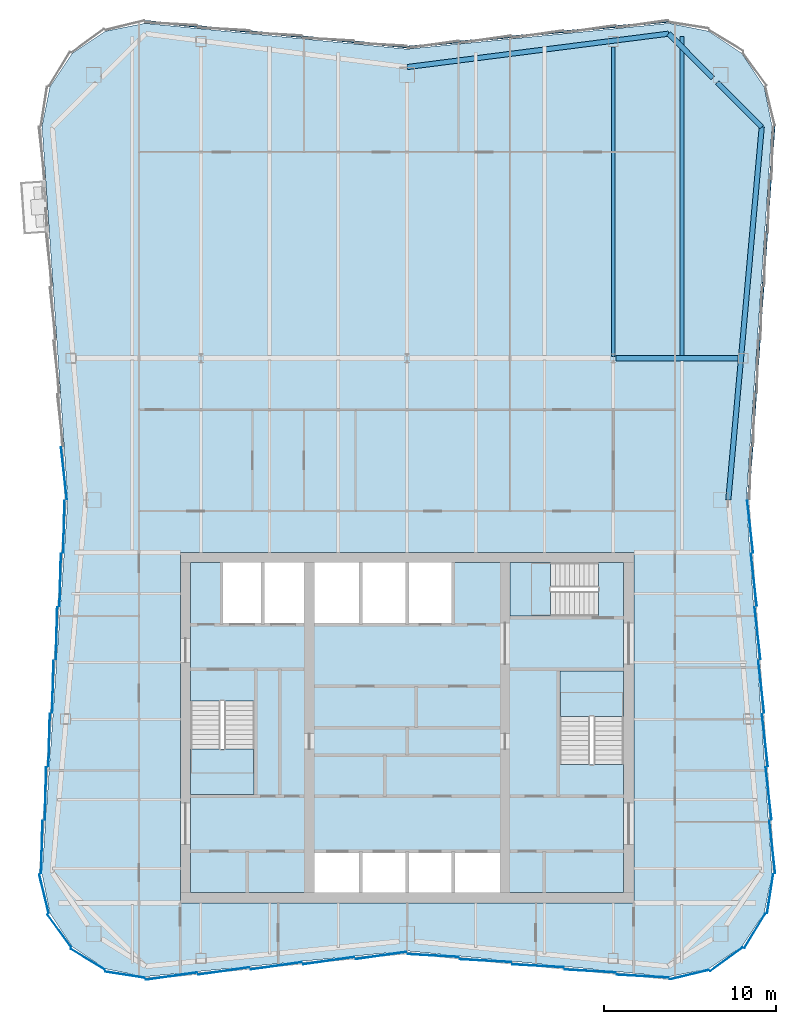
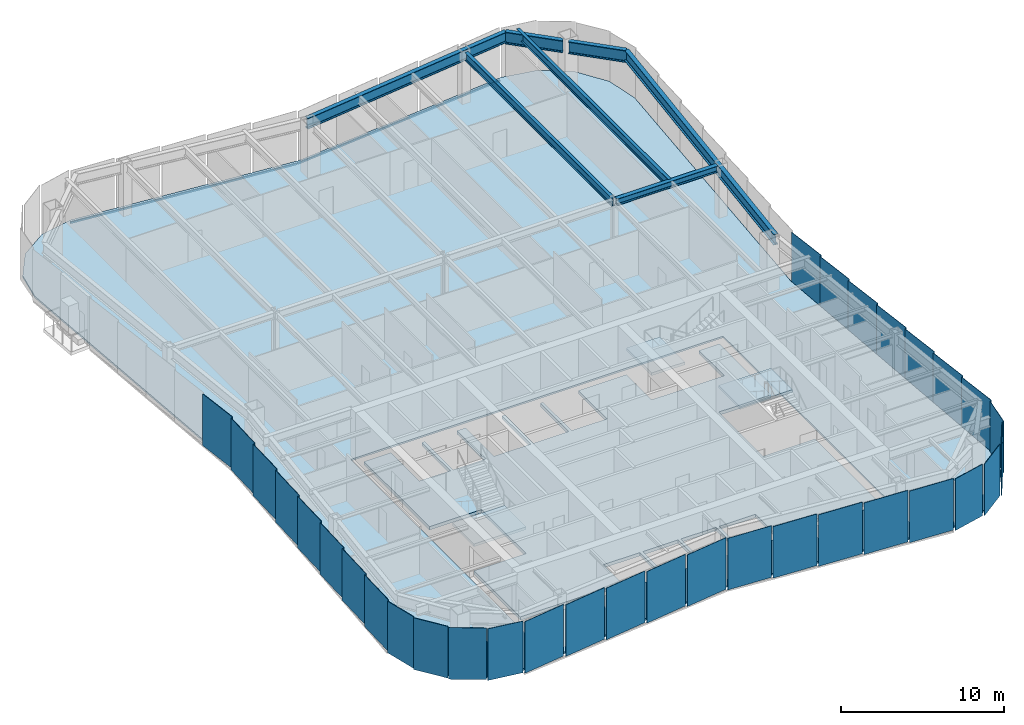
# One storey, part 4 of 11: 33 plates, 7 beams, 5 slabs, 3 members, 9 elements without a shape of their own.
"""IFC4 building model written with IfcOpenShell, lengths in metres."""

from ifc_helpers import new_model, si_unit, direction, frame, origin, origin_2d, place, context, subcontext, project, spatial, polyline, rectangle, i_section, outline, extrude, material, layer, layer_set, material_profile, profile_set, type_object, element, aggregate, save


model = new_model("IFC4")

# Units and contexts
model_context = context("Model", 3, precision=1e-05, world=origin(), true_north=direction((0.0, 1.0)))
body_context = subcontext(model_context, "Body", "Model", "MODEL_VIEW")
ifc_project = project(units=[si_unit("LENGTHUNIT", "METRE"), si_unit("AREAUNIT", "SQUARE_METRE"), si_unit("VOLUMEUNIT", "CUBIC_METRE"), si_unit("PLANEANGLEUNIT", "RADIAN"), si_unit("MASSUNIT", "GRAM", prefix="KILO")], contexts=[model_context])

# Site, building, storey
site_placement = place(None, origin())
site = spatial("IfcSite", under=ifc_project, at=site_placement, CompositionType="ELEMENT")
building_placement = place(site_placement, origin())
building = spatial("IfcBuilding", under=site, at=building_placement, Name="Verdant Reach Tower", CompositionType="ELEMENT")
storey_placement = place(building_placement, frame((0.0, 0.0, 314.0)))
storey = spatial("IfcBuildingStorey", under=building, at=storey_placement, Name="L72", CompositionType="ELEMENT", Elevation=314.0)

# Curtain wall, member
ifc_material_1 = material(Name="Anodised aluminium", Category="aluminium")
curtain_wall_type = type_object("IfcCurtainWallType", Name="EN-CW SYSTEM Z5", PredefinedType="NOTDEFINED", material=ifc_material_1)
curtain_wall_1_placement = place(storey_placement, origin())
curtain_wall_1 = element("IfcCurtainWall", 1, at=curtain_wall_1_placement, inside=storey, type_object=curtain_wall_type, Name="Curtain wall east, L72", PredefinedType="NOTDEFINED")
ifc_material_profile_1 = material_profile(ifc_material_1, rectangle(XDim=0.10009765625, YDim=0.1298828125, at=origin_2d()), Name="Transom 130x100")
ifc_profile_set_1 = profile_set([ifc_material_profile_1], Name="Anodised aluminium")
member_type = type_object("IfcMemberType", Name="EN-TRANSOM Z5", PredefinedType="USERDEFINED", material=ifc_profile_set_1)
member_1_placement = place(storey_placement, frame((19.867431640625, 41.284912109375, -0.284912109375), z_axis=(0.068764705107, 0.997632906099, 0.0), x_axis=(-0.997632906099, 0.068764705107, 0.0)))
member_1 = element("IfcMember", 2, at=member_1_placement, type_object=member_type, Name="Transom east face part 2 1.1, L72", ObjectType="TRANSOM", PredefinedType="USERDEFINED", context=body_context, shape_type="SweptSolid", body=[
    extrude(rectangle(XDim=0.10009765625, YDim=0.1298828125, at=origin_2d()), origin(), (0.0, 0.0, 1.0), 21.739013671875),
])

# Curtain wall, members
curtain_wall_2_placement = place(storey_placement, origin())
curtain_wall_2 = element("IfcCurtainWall", 3, at=curtain_wall_2_placement, inside=storey, type_object=curtain_wall_type, Name="Curtain wall north, L72", PredefinedType="NOTDEFINED")
member_2_placement = place(storey_placement, frame((15.220703125, 69.111328125, -0.284912109375), z_axis=(-0.99520229006, -0.097838652171, 0.0), x_axis=(0.097838652171, -0.99520229006, 0.0)))
member_2 = element("IfcMember", 4, at=member_2_placement, type_object=member_type, Name="Transom north face part 1 1.1, L72", ObjectType="TRANSOM", PredefinedType="USERDEFINED", context=body_context, shape_type="SweptSolid", body=[
    extrude(rectangle(XDim=0.10009765625, YDim=0.1298828125, at=origin_2d()), origin(), (0.0, 0.0, 1.0), 15.259033203125),
])
member_3_placement = place(storey_placement, frame((-0.034912109375, 67.618408203125, -0.284912109375), z_axis=(-0.99520229006, 0.097838652171, 0.0), x_axis=(-0.097838652171, -0.99520229006, 0.0)))
member_3 = element("IfcMember", 5, at=member_3_placement, type_object=member_type, Name="Transom north face part 2 1.1, L72", ObjectType="TRANSOM", PredefinedType="USERDEFINED", context=body_context, shape_type="SweptSolid", body=[
    extrude(rectangle(XDim=0.10009765625, YDim=0.1298828125, at=origin_2d()), origin(), (0.0, 0.0, 1.0), 15.259033203125),
])
aggregate(curtain_wall_2, [member_2, member_3])

# Beams
ifc_material_2 = material(Name="Steel S355", Category="steel")
ifc_material_profile_2 = material_profile(ifc_material_2, i_section(OverallWidth=0.300048828125, OverallDepth=0.489990234375, WebThickness=0.011962890625, FlangeThickness=0.02294921875, FilletRadius=0.027099609375, at=origin_2d()), Name="HEA 500")
ifc_profile_set_2 = profile_set([ifc_material_profile_2], Name="Steel S355")
beam_type_1 = type_object("IfcBeamType", Name="ST-BEAM-HEA500", PredefinedType="BEAM", material=ifc_profile_set_2)
beam_1_placement = place(storey_placement, frame((12.153076171875, 49.5, 3.625), z_axis=(1.0, 0.0, 0.0), x_axis=(0.0, 1.0, 0.0)))
element("IfcBeam", 6, at=beam_1_placement, inside=storey, type_object=beam_type_1, Name="Row girder, L72", PredefinedType="BEAM", context=body_context, shape_type="SweptSolid", body=[
    extrude(i_section(OverallWidth=0.300048828125, OverallDepth=0.489990234375, WebThickness=0.011962890625, FlangeThickness=0.02294921875, FilletRadius=0.027099609375, at=origin_2d()), origin(), (0.0, 0.0, 1.0), 7.115966796875),
])
ifc_material_profile_3 = material_profile(ifc_material_2, i_section(OverallWidth=0.219970703125, OverallDepth=0.60009765625, WebThickness=0.011962890625, FlangeThickness=0.01904296875, FilletRadius=0.02392578125, at=origin_2d()), Name="IPE 600")
ifc_profile_set_3 = profile_set([ifc_material_profile_3], Name="Steel S355")
beam_type_2 = type_object("IfcBeamType", Name="ST-JOIST-IPE600", PredefinedType="JOIST", material=ifc_profile_set_3)
beam_2_placement = place(storey_placement, frame((12.0, 49.60009765625, 3.570068359375), z_axis=(0.0, 1.0, 0.0), x_axis=(-1.0, 0.0, 0.0)))
element("IfcBeam", 7, at=beam_2_placement, inside=storey, type_object=beam_type_2, Name="Floor joist, L72", PredefinedType="JOIST", context=body_context, shape_type="SweptSolid", body=[
    extrude(i_section(OverallWidth=0.219970703125, OverallDepth=0.60009765625, WebThickness=0.011962890625, FlangeThickness=0.01904296875, FilletRadius=0.02392578125, at=origin_2d()), origin(), (0.0, 0.0, 1.0), 18.0302734375),
])
beam_3_placement = place(storey_placement, frame((16.0, 49.60009765625, 3.570068359375), z_axis=(0.0, 1.0, 0.0), x_axis=(-1.0, 0.0, 0.0)))
element("IfcBeam", 8, at=beam_3_placement, inside=storey, type_object=beam_type_2, Name="Floor joist, L72", PredefinedType="JOIST", context=body_context, shape_type="SweptSolid", body=[
    extrude(i_section(OverallWidth=0.219970703125, OverallDepth=0.60009765625, WebThickness=0.011962890625, FlangeThickness=0.01904296875, FilletRadius=0.02392578125, at=origin_2d()), origin(), (0.0, 0.0, 1.0), 18.638916015625),
])
ifc_material_profile_4 = material_profile(ifc_material_2, i_section(OverallWidth=0.300048828125, OverallDepth=0.800048828125, WebThickness=0.017578125, FlangeThickness=0.032958984375, FilletRadius=0.030029296875, at=origin_2d()), Name="HEB 800")
ifc_profile_set_4 = profile_set([ifc_material_profile_4], Name="Steel S355")
beam_type_3 = type_object("IfcBeamType", Name="ST-SPANDREL-HEB800", PredefinedType="SPANDREL", material=ifc_profile_set_4)
beam_4_placement = place(storey_placement, frame((0.0, 66.449951171875, 3.469970703125), z_axis=(0.991938889669, 0.126717162063, 0.0), x_axis=(-0.126717162063, 0.991938889669, 0.0)))
element("IfcBeam", 9, at=beam_4_placement, inside=storey, type_object=beam_type_3, Name="Edge beam, L72", PredefinedType="SPANDREL", context=body_context, shape_type="SweptSolid", body=[
    extrude(i_section(OverallWidth=0.300048828125, OverallDepth=0.800048828125, WebThickness=0.017578125, FlangeThickness=0.032958984375, FilletRadius=0.030029296875, at=origin_2d()), origin(), (0.0, 0.0, 1.0), 15.343994140625),
])
beam_5_placement = place(storey_placement, frame((20.64599609375, 62.96142578125, 3.469970703125), z_axis=(-0.089274399498, -0.996007069048, 0.0), x_axis=(0.996007069048, -0.089274399498, 0.0)))
element("IfcBeam", 10, at=beam_5_placement, inside=storey, type_object=beam_type_3, Name="Edge beam, L72", PredefinedType="SPANDREL", context=body_context, shape_type="SweptSolid", body=[
    extrude(i_section(OverallWidth=0.300048828125, OverallDepth=0.800048828125, WebThickness=0.017578125, FlangeThickness=0.032958984375, FilletRadius=0.030029296875, at=origin_2d()), origin(), (0.0, 0.0, 1.0), 21.798583984375),
])
ifc_material_profile_5 = material_profile(ifc_material_2, i_section(OverallWidth=0.302001953125, OverallDepth=0.909912109375, WebThickness=0.02099609375, FlangeThickness=0.0400390625, FilletRadius=0.030029296875, at=origin_2d()), Name="HEM 900")
ifc_profile_set_5 = profile_set([ifc_material_profile_5], Name="Steel S355")
beam_type_4 = type_object("IfcBeamType", Name="ST-SPANDREL-HEM900", PredefinedType="SPANDREL", material=ifc_profile_set_5)
beam_6_placement = place(storey_placement, frame((15.22021484375, 68.394287109375, 3.4150390625), z_axis=(0.706638520854, -0.707574731632, 0.0), x_axis=(0.707574731632, 0.706638520854, 0.0)))
element("IfcBeam", 11, at=beam_6_placement, inside=storey, type_object=beam_type_4, Name="Edge beam, L72", PredefinedType="SPANDREL", context=body_context, shape_type="SweptSolid", body=[
    extrude(i_section(OverallWidth=0.302001953125, OverallDepth=0.909912109375, WebThickness=0.02099609375, FlangeThickness=0.0400390625, FilletRadius=0.030029296875, at=origin_2d()), origin(), (0.0, 0.0, 1.0), 3.65087890625),
])
beam_7_placement = place(storey_placement, frame((18.060791015625, 65.550048828125, 3.4150390625), z_axis=(0.706639493403, -0.707573760369, 0.0), x_axis=(0.707573760369, 0.706639493403, 0.0)))
element("IfcBeam", 12, at=beam_7_placement, inside=storey, type_object=beam_type_4, Name="Edge beam, L72", PredefinedType="SPANDREL", context=body_context, shape_type="SweptSolid", body=[
    extrude(i_section(OverallWidth=0.302001953125, OverallDepth=0.909912109375, WebThickness=0.02099609375, FlangeThickness=0.0400390625, FilletRadius=0.030029296875, at=origin_2d()), origin(), (0.0, 0.0, 1.0), 3.658447265625),
])

# Stair, slab
ifc_material_3 = material(Name="Concrete C40/50", Category="concrete")
stair_type = type_object("IfcStairType", Name="CO-STAIR", PredefinedType="HALF_TURN_STAIR", material=ifc_material_3)
stair_1_placement = place(storey_placement, origin())
stair_1 = element("IfcStair", 13, at=stair_1_placement, inside=storey, type_object=stair_type, Name="L72 Exit stair 1", PredefinedType="HALF_TURN_STAIR")
ifc_layer_1 = layer(ifc_material_3, 0.199951171875)
ifc_layer_set_1 = layer_set([ifc_layer_1], Name="CO-STAIR-LANDING")
slab_type_1 = type_object("IfcSlabType", Name="CO-STAIR-LANDING", PredefinedType="LANDING", material=ifc_layer_set_1)
slab_1_placement = place(storey_placement, frame((0.0, 0.0, 1.800048828125)))
slab_1 = element("IfcSlab", 14, at=slab_1_placement, type_object=slab_type_1, Name="ST-1 landing 1", PredefinedType="LANDING", context=body_context, shape_type="SweptSolid", body=[
    extrude(outline(polyline([(-12.60009765625, 26.75), (-12.60009765625, 24.10009765625), (-8.89990234375, 24.10009765625), (-8.89990234375, 26.75), (-12.60009765625, 26.75)])), origin(), (0.0, 0.0, 1.0), 0.199951171875),
])
aggregate(stair_1, [slab_1])

stair_2_placement = place(storey_placement, origin())
stair_2 = element("IfcStair", 15, at=stair_2_placement, inside=storey, type_object=stair_type, Name="L72 Exit stair 2", PredefinedType="HALF_TURN_STAIR")
slab_2_placement = place(storey_placement, frame((0.0, 0.0, 1.800048828125)))
slab_2 = element("IfcSlab", 16, at=slab_2_placement, type_object=slab_type_1, Name="ST-2 landing 1", PredefinedType="LANDING", context=body_context, shape_type="SweptSolid", body=[
    extrude(outline(polyline([(12.60009765625, 28.64990234375), (12.60009765625, 31.300048828125), (8.89990234375, 31.300048828125), (8.89990234375, 28.64990234375), (12.60009765625, 28.64990234375)])), origin(), (0.0, 0.0, 1.0), 0.199951171875),
])
aggregate(stair_2, [slab_2])

stair_3_placement = place(storey_placement, origin())
stair_3 = element("IfcStair", 17, at=stair_3_placement, inside=storey, type_object=stair_type, Name="L72 Exit stair 3", PredefinedType="HALF_TURN_STAIR")
slab_3_placement = place(storey_placement, frame((0.0, 0.0, 1.800048828125)))
slab_3 = element("IfcSlab", 18, at=slab_3_placement, type_object=slab_type_1, Name="ST-3 landing 1", PredefinedType="LANDING", context=body_context, shape_type="SweptSolid", body=[
    extrude(outline(polyline([(8.35009765625, 37.60009765625), (6.0, 37.60009765625), (6.0, 34.5), (8.35009765625, 34.5), (8.35009765625, 37.60009765625)])), origin(), (0.0, 0.0, 1.0), 0.199951171875),
])
aggregate(stair_3, [slab_3])

# Curtain wall, plates
curtain_wall_3_placement = place(storey_placement, origin())
curtain_wall_3 = element("IfcCurtainWall", 19, at=curtain_wall_3_placement, inside=storey, type_object=curtain_wall_type, Name="Curtain wall south-east corner, L72", PredefinedType="NOTDEFINED")
ifc_material_4 = material(Name="Tinted glass with champagne spandrel", Category="glass")
ifc_layer_2 = layer(ifc_material_4, 0.031982421875)
ifc_layer_set_2 = layer_set([ifc_layer_2], Name="EN-PANEL CHAMPAGNE")
plate_type_1 = type_object("IfcPlateType", Name="EN-PANEL CHAMPAGNE", PredefinedType="CURTAIN_PANEL", material=ifc_layer_set_2)
plate_1_placement = place(storey_placement, frame((16.4228515625, 13.61767578125, -0.219970703125), z_axis=(0.0, 0.0, 1.0), x_axis=(0.971661765526, 0.236375577028, 0.0)))
plate_1 = element("IfcPlate", 20, at=plate_1_placement, type_object=plate_type_1, Name="Glass panel south-east corner 1.1, L72", PredefinedType="CURTAIN_PANEL", context=body_context, shape_type="SweptSolid", body=[
    extrude(rectangle(XDim=2.314453125, YDim=0.031982421875, at=origin_2d()), origin(), (0.0, 0.0, 1.0), 3.8701171875),
])
plate_2_placement = place(storey_placement, frame((18.58203125, 14.51318359375, -0.219970703125), z_axis=(0.0, 0.0, 1.0), x_axis=(0.807456783236, 0.58992672698, 0.0)))
plate_2 = element("IfcPlate", 21, at=plate_2_placement, type_object=plate_type_1, Name="Glass panel south-east corner 2.1, L72", PredefinedType="CURTAIN_PANEL", context=body_context, shape_type="SweptSolid", body=[
    extrude(rectangle(XDim=2.320068359375, YDim=0.031982421875, at=origin_2d()), origin(), (0.0, 0.0, 1.0), 3.8701171875),
])

# Plate
plate_3_placement = place(storey_placement, frame((21.257568359375, 21.053955078125, -0.219970703125), z_axis=(0.0, 0.0, 1.0), x_axis=(-0.110197580247, 0.993909700782, 0.0)))
plate_3 = element("IfcPlate", 22, at=plate_3_placement, type_object=plate_type_1, Name="Glass panel east face part 1 1.1, L72", PredefinedType="CURTAIN_PANEL", context=body_context, shape_type="SweptSolid", body=[
    extrude(rectangle(XDim=3.063720703125, YDim=0.031982421875, at=origin_2d()), origin(), (0.0, 0.0, 1.0), 3.8701171875),
])

plate_4_placement = place(storey_placement, frame((19.971923828125, 39.700439453125, -0.219970703125), z_axis=(0.0, 0.0, 1.0), x_axis=(-0.110605344993, 0.993864406073, 0.0)))
plate_4 = element("IfcPlate", 23, at=plate_4_placement, type_object=plate_type_1, Name="Glass panel east face part 1 7.1, L72", PredefinedType="CURTAIN_PANEL", context=body_context, shape_type="SweptSolid", body=[
    extrude(rectangle(XDim=3.04052734375, YDim=0.031982421875, at=origin_2d()), origin(), (0.0, 0.0, 1.0), 3.8701171875),
])

# Curtain wall, plates
curtain_wall_4_placement = place(storey_placement, origin())
curtain_wall_4 = element("IfcCurtainWall", 24, at=curtain_wall_4_placement, inside=storey, type_object=curtain_wall_type, Name="Curtain wall west, L72", PredefinedType="NOTDEFINED")
plate_5_placement = place(storey_placement, frame((-20.8291015625, 27.27587890625, -0.219970703125), z_axis=(0.0, 0.0, 1.0), x_axis=(-0.026965318308, -0.999636369691, 0.0)))
plate_5 = element("IfcPlate", 25, at=plate_5_placement, type_object=plate_type_1, Name="Glass panel west face part 2 5.1, L72", PredefinedType="CURTAIN_PANEL", context=body_context, shape_type="SweptSolid", body=[
    extrude(rectangle(XDim=3.048583984375, YDim=0.031982421875, at=origin_2d()), origin(), (0.0, 0.0, 1.0), 3.8701171875),
])
plate_6_placement = place(storey_placement, frame((-21.043212890625, 24.168701171875, -0.219970703125), z_axis=(0.0, 0.0, 1.0), x_axis=(-0.026965318308, -0.999636369691, 0.0)))
plate_6 = element("IfcPlate", 26, at=plate_6_placement, type_object=plate_type_1, Name="Glass panel west face part 2 6.1, L72", PredefinedType="CURTAIN_PANEL", context=body_context, shape_type="SweptSolid", body=[
    extrude(rectangle(XDim=3.048583984375, YDim=0.031982421875, at=origin_2d()), origin(), (0.0, 0.0, 1.0), 3.8701171875),
])

curtain_wall_5_placement = place(storey_placement, origin())
curtain_wall_5 = element("IfcCurtainWall", 27, at=curtain_wall_5_placement, inside=storey, type_object=curtain_wall_type, Name="Curtain wall south-west corner, L72", PredefinedType="NOTDEFINED")
plate_7_placement = place(storey_placement, frame((-18.58203125, 14.51318359375, -0.219970703125), z_axis=(0.0, 0.0, 1.0), x_axis=(0.853988714885, -0.520291528711, 0.0)))
plate_7 = element("IfcPlate", 28, at=plate_7_placement, type_object=plate_type_1, Name="Glass panel south-west corner 3.1, L72", PredefinedType="CURTAIN_PANEL", context=body_context, shape_type="SweptSolid", body=[
    extrude(rectangle(XDim=2.320068359375, YDim=0.031982421875, at=origin_2d()), origin(), (0.0, 0.0, 1.0), 3.8701171875),
])
plate_8_placement = place(storey_placement, frame((-16.4228515625, 13.61767578125, -0.219970703125), z_axis=(0.0, 0.0, 1.0), x_axis=(0.988033409454, -0.154240013621, 0.0)))
plate_8 = element("IfcPlate", 29, at=plate_8_placement, type_object=plate_type_1, Name="Glass panel south-west corner 4.1, L72", PredefinedType="CURTAIN_PANEL", context=body_context, shape_type="SweptSolid", body=[
    extrude(rectangle(XDim=2.314453125, YDim=0.031982421875, at=origin_2d()), origin(), (0.0, 0.0, 1.0), 3.8701171875),
])

curtain_wall_6_placement = place(storey_placement, origin())
curtain_wall_6 = element("IfcCurtainWall", 30, at=curtain_wall_6_placement, inside=storey, type_object=curtain_wall_type, Name="Curtain wall south, L72", PredefinedType="NOTDEFINED")
plate_9_placement = place(storey_placement, frame((-13.72216796875, 13.535400390625, -0.219970703125), z_axis=(0.0, 0.0, 1.0), x_axis=(0.990281521639, 0.139077345032, 0.0)))
plate_9 = element("IfcPlate", 31, at=plate_9_placement, type_object=plate_type_1, Name="Glass panel south face part 1 1.1, L72", PredefinedType="CURTAIN_PANEL", context=body_context, shape_type="SweptSolid", body=[
    extrude(rectangle(XDim=3.015625, YDim=0.031982421875, at=origin_2d()), origin(), (0.0, 0.0, 1.0), 3.8701171875),
])
plate_10_placement = place(storey_placement, frame((-10.663818359375, 13.83544921875, -0.219970703125), z_axis=(0.0, 0.0, 1.0), x_axis=(0.990225318365, 0.139476947446, 0.0)))
plate_10 = element("IfcPlate", 32, at=plate_10_placement, type_object=plate_type_1, Name="Glass panel south face part 1 2.1, L72", PredefinedType="CURTAIN_PANEL", context=body_context, shape_type="SweptSolid", body=[
    extrude(rectangle(XDim=2.998779296875, YDim=0.031982421875, at=origin_2d()), origin(), (0.0, 0.0, 1.0), 3.8701171875),
])
plate_11_placement = place(storey_placement, frame((4.563720703125, 14.435546875, -0.219970703125), z_axis=(0.0, 0.0, 1.0), x_axis=(0.998423588956, -0.056127863106, 0.0)))
plate_11 = element("IfcPlate", 33, at=plate_11_placement, type_object=plate_type_1, Name="Glass panel south face part 2 2.1, L72", PredefinedType="CURTAIN_PANEL", context=body_context, shape_type="SweptSolid", body=[
    extrude(rectangle(XDim=2.998779296875, YDim=0.031982421875, at=origin_2d()), origin(), (0.0, 0.0, 1.0), 3.8701171875),
])
plate_12_placement = place(storey_placement, frame((7.61376953125, 14.135498046875, -0.219970703125), z_axis=(0.0, 0.0, 1.0), x_axis=(0.998423588956, -0.056127863106, 0.0)))
plate_12 = element("IfcPlate", 34, at=plate_12_placement, type_object=plate_type_1, Name="Glass panel south face part 2 3.1, L72", PredefinedType="CURTAIN_PANEL", context=body_context, shape_type="SweptSolid", body=[
    extrude(rectangle(XDim=2.998779296875, YDim=0.031982421875, at=origin_2d()), origin(), (0.0, 0.0, 1.0), 3.8701171875),
])
plate_13_placement = place(storey_placement, frame((10.663818359375, 13.83544921875, -0.219970703125), z_axis=(0.0, 0.0, 1.0), x_axis=(0.998423588956, -0.056127863106, 0.0)))
plate_13 = element("IfcPlate", 35, at=plate_13_placement, type_object=plate_type_1, Name="Glass panel south face part 2 4.1, L72", PredefinedType="CURTAIN_PANEL", context=body_context, shape_type="SweptSolid", body=[
    extrude(rectangle(XDim=2.998779296875, YDim=0.031982421875, at=origin_2d()), origin(), (0.0, 0.0, 1.0), 3.8701171875),
])

# Plate
ifc_material_5 = material(Name="Tinted glass with copper spandrel", Category="glass")
ifc_layer_3 = layer(ifc_material_5, 0.031982421875)
ifc_layer_set_3 = layer_set([ifc_layer_3], Name="EN-PANEL COPPER")
plate_type_2 = type_object("IfcPlateType", Name="EN-PANEL COPPER", PredefinedType="CURTAIN_PANEL", material=ifc_layer_set_3)
plate_14_placement = place(storey_placement, frame((20.23681640625, 16.16796875, -0.219970703125), z_axis=(0.0, 0.0, 1.0), x_axis=(0.520291528711, 0.853988714885, 0.0)))
plate_14 = element("IfcPlate", 36, at=plate_14_placement, type_object=plate_type_2, Name="Glass panel south-east corner 3.1, L72", PredefinedType="CURTAIN_PANEL", context=body_context, shape_type="SweptSolid", body=[
    extrude(rectangle(XDim=2.320068359375, YDim=0.031982421875, at=origin_2d()), origin(), (0.0, 0.0, 1.0), 3.8701171875),
])

plate_15_placement = place(storey_placement, frame((21.132080078125, 18.326171875, -0.219970703125), z_axis=(0.0, 0.0, 1.0), x_axis=(0.154337499461, 0.988018186199, 0.0)))
plate_15 = element("IfcPlate", 37, at=plate_15_placement, type_object=plate_type_2, Name="Glass panel south-east corner 4.1, L72", PredefinedType="CURTAIN_PANEL", context=body_context, shape_type="SweptSolid", body=[
    extrude(rectangle(XDim=2.312744140625, YDim=0.031982421875, at=origin_2d()), origin(), (0.0, 0.0, 1.0), 3.8701171875),
])

aggregate(curtain_wall_3, [plate_1, plate_2, plate_14, plate_15])

plate_16_placement = place(storey_placement, frame((21.043212890625, 24.168701171875, -0.219970703125), z_axis=(0.0, 0.0, 1.0), x_axis=(-0.110518162674, 0.993874104562, 0.0)))
plate_16 = element("IfcPlate", 38, at=plate_16_placement, type_object=plate_type_2, Name="Glass panel east face part 1 2.1, L72", PredefinedType="CURTAIN_PANEL", context=body_context, shape_type="SweptSolid", body=[
    extrude(rectangle(XDim=3.048583984375, YDim=0.031982421875, at=origin_2d()), origin(), (0.0, 0.0, 1.0), 3.8701171875),
])

plate_17_placement = place(storey_placement, frame((20.8291015625, 27.27587890625, -0.219970703125), z_axis=(0.0, 0.0, 1.0), x_axis=(-0.110518162674, 0.993874104562, 0.0)))
plate_17 = element("IfcPlate", 39, at=plate_17_placement, type_object=plate_type_2, Name="Glass panel east face part 1 3.1, L72", PredefinedType="CURTAIN_PANEL", context=body_context, shape_type="SweptSolid", body=[
    extrude(rectangle(XDim=3.048583984375, YDim=0.031982421875, at=origin_2d()), origin(), (0.0, 0.0, 1.0), 3.8701171875),
])

plate_18_placement = place(storey_placement, frame((-19.971923828125, 42.799560546875, -0.219970703125), z_axis=(0.0, 0.0, 1.0), x_axis=(0.110605344993, -0.993864406073, 0.0)))
plate_18 = element("IfcPlate", 40, at=plate_18_placement, type_object=plate_type_2, Name="Glass panel west face part 1 7.1, L72", PredefinedType="CURTAIN_PANEL", context=body_context, shape_type="SweptSolid", body=[
    extrude(rectangle(XDim=3.04052734375, YDim=0.031982421875, at=origin_2d()), origin(), (0.0, 0.0, 1.0), 3.8701171875),
])

plate_19_placement = place(storey_placement, frame((-19.971923828125, 39.700439453125, -0.219970703125), z_axis=(0.0, 0.0, 1.0), x_axis=(-0.027053006415, -0.999634000444, 0.0)))
plate_19 = element("IfcPlate", 41, at=plate_19_placement, type_object=plate_type_2, Name="Glass panel west face part 2 1.1, L72", PredefinedType="CURTAIN_PANEL", context=body_context, shape_type="SweptSolid", body=[
    extrude(rectangle(XDim=3.04052734375, YDim=0.031982421875, at=origin_2d()), origin(), (0.0, 0.0, 1.0), 3.8701171875),
])

plate_20_placement = place(storey_placement, frame((-21.257568359375, 21.053955078125, -0.219970703125), z_axis=(0.0, 0.0, 1.0), x_axis=(-0.026642881595, -0.999645015423, 0.0)))
plate_20 = element("IfcPlate", 42, at=plate_20_placement, type_object=plate_type_2, Name="Glass panel west face part 2 7.1, L72", PredefinedType="CURTAIN_PANEL", context=body_context, shape_type="SweptSolid", body=[
    extrude(rectangle(XDim=3.063720703125, YDim=0.031982421875, at=origin_2d()), origin(), (0.0, 0.0, 1.0), 3.8701171875),
])

plate_21_placement = place(storey_placement, frame((-7.61376953125, 14.135498046875, -0.219970703125), z_axis=(0.0, 0.0, 1.0), x_axis=(0.990225318365, 0.139476947446, 0.0)))
plate_21 = element("IfcPlate", 43, at=plate_21_placement, type_object=plate_type_2, Name="Glass panel south face part 1 3.1, L72", PredefinedType="CURTAIN_PANEL", context=body_context, shape_type="SweptSolid", body=[
    extrude(rectangle(XDim=2.998779296875, YDim=0.031982421875, at=origin_2d()), origin(), (0.0, 0.0, 1.0), 3.8701171875),
])

plate_22_placement = place(storey_placement, frame((-4.563720703125, 14.435546875, -0.219970703125), z_axis=(0.0, 0.0, 1.0), x_axis=(0.990225318365, 0.139476947446, 0.0)))
plate_22 = element("IfcPlate", 44, at=plate_22_placement, type_object=plate_type_2, Name="Glass panel south face part 1 4.1, L72", PredefinedType="CURTAIN_PANEL", context=body_context, shape_type="SweptSolid", body=[
    extrude(rectangle(XDim=2.998779296875, YDim=0.031982421875, at=origin_2d()), origin(), (0.0, 0.0, 1.0), 3.8701171875),
])

plate_23_placement = place(storey_placement, frame((-1.519287109375, 14.7353515625, -0.219970703125), z_axis=(0.0, 0.0, 1.0), x_axis=(0.990200074141, 0.139656053116, 0.0)))
plate_23 = element("IfcPlate", 45, at=plate_23_placement, type_object=plate_type_2, Name="Glass panel south face part 1 5.1, L72", PredefinedType="CURTAIN_PANEL", context=body_context, shape_type="SweptSolid", body=[
    extrude(rectangle(XDim=2.987548828125, YDim=0.031982421875, at=origin_2d()), origin(), (0.0, 0.0, 1.0), 3.8701171875),
])

plate_24_placement = place(storey_placement, frame((13.72216796875, 13.535400390625, -0.219970703125), z_axis=(0.0, 0.0, 1.0), x_axis=(0.998446157248, -0.055724959185, 0.0)))
plate_24 = element("IfcPlate", 46, at=plate_24_placement, type_object=plate_type_2, Name="Glass panel south face part 2 5.1, L72", PredefinedType="CURTAIN_PANEL", context=body_context, shape_type="SweptSolid", body=[
    extrude(rectangle(XDim=3.015625, YDim=0.031982421875, at=origin_2d()), origin(), (0.0, 0.0, 1.0), 3.8701171875),
])

ifc_material_6 = material(Name="Tinted glass with dark bronze spandrel", Category="glass")
ifc_layer_4 = layer(ifc_material_6, 0.031982421875)
ifc_layer_set_4 = layer_set([ifc_layer_4], Name="EN-PANEL DARK")
plate_type_3 = type_object("IfcPlateType", Name="EN-PANEL DARK", PredefinedType="CURTAIN_PANEL", material=ifc_layer_set_4)
plate_25_placement = place(storey_placement, frame((20.61474609375, 30.3828125, -0.219970703125), z_axis=(0.0, 0.0, 1.0), x_axis=(-0.110518162674, 0.993874104562, 0.0)))
plate_25 = element("IfcPlate", 47, at=plate_25_placement, type_object=plate_type_3, Name="Glass panel east face part 1 4.1, L72", PredefinedType="CURTAIN_PANEL", context=body_context, shape_type="SweptSolid", body=[
    extrude(rectangle(XDim=3.048583984375, YDim=0.031982421875, at=origin_2d()), origin(), (0.0, 0.0, 1.0), 3.8701171875),
])

plate_26_placement = place(storey_placement, frame((20.400390625, 33.489990234375, -0.219970703125), z_axis=(0.0, 0.0, 1.0), x_axis=(-0.110518162674, 0.993874104562, 0.0)))
plate_26 = element("IfcPlate", 48, at=plate_26_placement, type_object=plate_type_3, Name="Glass panel east face part 1 5.1, L72", PredefinedType="CURTAIN_PANEL", context=body_context, shape_type="SweptSolid", body=[
    extrude(rectangle(XDim=3.048583984375, YDim=0.031982421875, at=origin_2d()), origin(), (0.0, 0.0, 1.0), 3.8701171875),
])

plate_27_placement = place(storey_placement, frame((20.18603515625, 36.59716796875, -0.219970703125), z_axis=(0.0, 0.0, 1.0), x_axis=(-0.110518162674, 0.993874104562, 0.0)))
plate_27 = element("IfcPlate", 49, at=plate_27_placement, type_object=plate_type_3, Name="Glass panel east face part 1 6.1, L72", PredefinedType="CURTAIN_PANEL", context=body_context, shape_type="SweptSolid", body=[
    extrude(rectangle(XDim=3.048583984375, YDim=0.031982421875, at=origin_2d()), origin(), (0.0, 0.0, 1.0), 3.8701171875),
])

aggregate(curtain_wall_1, [plate_3, plate_16, plate_17, plate_25, plate_26, plate_27, plate_4, member_1])

plate_28_placement = place(storey_placement, frame((-20.18603515625, 36.59716796875, -0.219970703125), z_axis=(0.0, 0.0, 1.0), x_axis=(-0.026965318308, -0.999636369691, 0.0)))
plate_28 = element("IfcPlate", 50, at=plate_28_placement, type_object=plate_type_3, Name="Glass panel west face part 2 2.1, L72", PredefinedType="CURTAIN_PANEL", context=body_context, shape_type="SweptSolid", body=[
    extrude(rectangle(XDim=3.048583984375, YDim=0.031982421875, at=origin_2d()), origin(), (0.0, 0.0, 1.0), 3.8701171875),
])

plate_29_placement = place(storey_placement, frame((-20.400390625, 33.489990234375, -0.219970703125), z_axis=(0.0, 0.0, 1.0), x_axis=(-0.026965318308, -0.999636369691, 0.0)))
plate_29 = element("IfcPlate", 51, at=plate_29_placement, type_object=plate_type_3, Name="Glass panel west face part 2 3.1, L72", PredefinedType="CURTAIN_PANEL", context=body_context, shape_type="SweptSolid", body=[
    extrude(rectangle(XDim=3.048583984375, YDim=0.031982421875, at=origin_2d()), origin(), (0.0, 0.0, 1.0), 3.8701171875),
])

plate_30_placement = place(storey_placement, frame((-20.61474609375, 30.3828125, -0.219970703125), z_axis=(0.0, 0.0, 1.0), x_axis=(-0.026965318308, -0.999636369691, 0.0)))
plate_30 = element("IfcPlate", 52, at=plate_30_placement, type_object=plate_type_3, Name="Glass panel west face part 2 4.1, L72", PredefinedType="CURTAIN_PANEL", context=body_context, shape_type="SweptSolid", body=[
    extrude(rectangle(XDim=3.048583984375, YDim=0.031982421875, at=origin_2d()), origin(), (0.0, 0.0, 1.0), 3.8701171875),
])

aggregate(curtain_wall_4, [plate_18, plate_19, plate_28, plate_29, plate_30, plate_5, plate_6, plate_20])

plate_31_placement = place(storey_placement, frame((-21.132080078125, 18.326171875, -0.219970703125), z_axis=(0.0, 0.0, 1.0), x_axis=(0.236471447122, -0.971638438256, 0.0)))
plate_31 = element("IfcPlate", 53, at=plate_31_placement, type_object=plate_type_3, Name="Glass panel south-west corner 1.1, L72", PredefinedType="CURTAIN_PANEL", context=body_context, shape_type="SweptSolid", body=[
    extrude(rectangle(XDim=2.312744140625, YDim=0.031982421875, at=origin_2d()), origin(), (0.0, 0.0, 1.0), 3.8701171875),
])

plate_32_placement = place(storey_placement, frame((-20.23681640625, 16.16796875, -0.219970703125), z_axis=(0.0, 0.0, 1.0), x_axis=(0.58992672698, -0.807456783236, 0.0)))
plate_32 = element("IfcPlate", 54, at=plate_32_placement, type_object=plate_type_3, Name="Glass panel south-west corner 2.1, L72", PredefinedType="CURTAIN_PANEL", context=body_context, shape_type="SweptSolid", body=[
    extrude(rectangle(XDim=2.320068359375, YDim=0.031982421875, at=origin_2d()), origin(), (0.0, 0.0, 1.0), 3.8701171875),
])

aggregate(curtain_wall_5, [plate_31, plate_32, plate_7, plate_8])

plate_33_placement = place(storey_placement, frame((1.519287109375, 14.7353515625, -0.219970703125), z_axis=(0.0, 0.0, 1.0), x_axis=(0.998413420442, -0.05630845301, 0.0)))
plate_33 = element("IfcPlate", 55, at=plate_33_placement, type_object=plate_type_3, Name="Glass panel south face part 2 1.1, L72", PredefinedType="CURTAIN_PANEL", context=body_context, shape_type="SweptSolid", body=[
    extrude(rectangle(XDim=2.987548828125, YDim=0.031982421875, at=origin_2d()), origin(), (0.0, 0.0, 1.0), 3.8701171875),
])

aggregate(curtain_wall_6, [plate_9, plate_10, plate_21, plate_22, plate_23, plate_33, plate_11, plate_12, plate_13, plate_24])

# Slabs
ifc_material_7 = material(Name="Concrete C35/45", Category="concrete")
ifc_layer_5 = layer(ifc_material_7, 0.1298828125)
ifc_layer_set_5 = layer_set([ifc_layer_5], Name="ST-SLAB-130")
slab_type_2 = type_object("IfcSlabType", Name="ST-SLAB-130", PredefinedType="FLOOR", material=ifc_layer_set_5)
slab_4_placement = place(storey_placement, frame((0.0, 0.0, -0.1298828125)))
element("IfcSlab", 56, at=slab_4_placement, inside=storey, type_object=slab_type_2, Name="Floor slab L72", PredefinedType="FLOOR", context=body_context, shape_type="SweptSolid", body=[
    extrude(outline(polyline([(0.0, 15.0), (-15.25, 13.5), (-17.546142578125, 13.956787109375), (-19.49267578125, 15.25732421875), (-20.793212890625, 17.203857421875), (-21.25, 19.5), (-19.75, 41.25), (-21.25, 63.0), (-20.793212890625, 65.296142578125), (-19.49267578125, 67.24267578125), (-17.546142578125, 68.543212890625), (-15.25, 69.0), (0.0, 67.5), (15.25, 69.0), (17.546142578125, 68.543212890625), (19.49267578125, 67.24267578125), (20.793212890625, 65.296142578125), (21.25, 63.0), (19.75, 41.25), (21.25, 19.5), (20.793212890625, 17.203857421875), (19.49267578125, 15.25732421875), (17.546142578125, 13.956787109375), (15.25, 13.5), (0.0, 15.0)]), holes=[polyline([(13.199951171875, 38.199951171875), (-13.199951171875, 38.199951171875), (-13.199951171875, 17.800048828125), (13.199951171875, 17.800048828125), (13.199951171875, 38.199951171875)])]), origin(), (0.0, 0.0, 1.0), 0.1298828125),
])
ifc_layer_6 = layer(ifc_material_7, 0.25)
ifc_layer_set_6 = layer_set([ifc_layer_6], Name="ST-SLAB-250")
slab_type_3 = type_object("IfcSlabType", Name="ST-SLAB-250", PredefinedType="FLOOR", material=ifc_layer_set_6)
slab_5_placement = place(storey_placement, frame((0.0, 0.0, -0.25)))
element("IfcSlab", 57, at=slab_5_placement, inside=storey, type_object=slab_type_3, Name="Core floor slab L72", PredefinedType="FLOOR", context=body_context, shape_type="SweptSolid", body=[
    extrude(outline(polyline([(12.60009765625, 18.39990234375), (5.39990234375, 18.39990234375), (5.39990234375, 20.699951171875), (2.800048828125, 20.699951171875), (2.800048828125, 18.39990234375), (2.60009765625, 18.39990234375), (2.60009765625, 20.699951171875), (0.10009765625, 20.699951171875), (0.10009765625, 18.39990234375), (-0.10009765625, 18.39990234375), (-0.10009765625, 20.699951171875), (-2.60009765625, 20.699951171875), (-2.60009765625, 18.39990234375), (-2.800048828125, 18.39990234375), (-2.800048828125, 20.699951171875), (-5.39990234375, 20.699951171875), (-5.39990234375, 18.39990234375), (-12.60009765625, 18.39990234375), (-12.60009765625, 24.10009765625), (-8.89990234375, 24.10009765625), (-8.89990234375, 29.548095703125), (-12.60009765625, 29.548095703125), (-12.60009765625, 37.60009765625), (-10.699951171875, 37.60009765625), (-10.699951171875, 34.10009765625), (-8.5, 34.10009765625), (-8.5, 37.60009765625), (-8.300048828125, 37.60009765625), (-8.300048828125, 34.10009765625), (-6.0, 34.10009765625), (-6.0, 37.60009765625), (-5.39990234375, 37.60009765625), (-5.39990234375, 34.10009765625), (-2.800048828125, 34.10009765625), (-2.800048828125, 37.60009765625), (-2.60009765625, 37.60009765625), (-2.60009765625, 34.10009765625), (-0.10009765625, 34.10009765625), (-0.10009765625, 37.60009765625), (0.10009765625, 37.60009765625), (0.10009765625, 34.10009765625), (2.60009765625, 34.10009765625), (2.60009765625, 37.60009765625), (6.0, 37.60009765625), (6.0, 34.5), (11.14794921875, 34.5), (11.14794921875, 37.60009765625), (12.60009765625, 37.60009765625), (12.60009765625, 31.300048828125), (8.89990234375, 31.300048828125), (8.89990234375, 25.85205078125), (12.60009765625, 25.85205078125), (12.60009765625, 18.39990234375)])), origin(), (0.0, 0.0, 1.0), 0.25),
])

save(model, "model.ifc")
